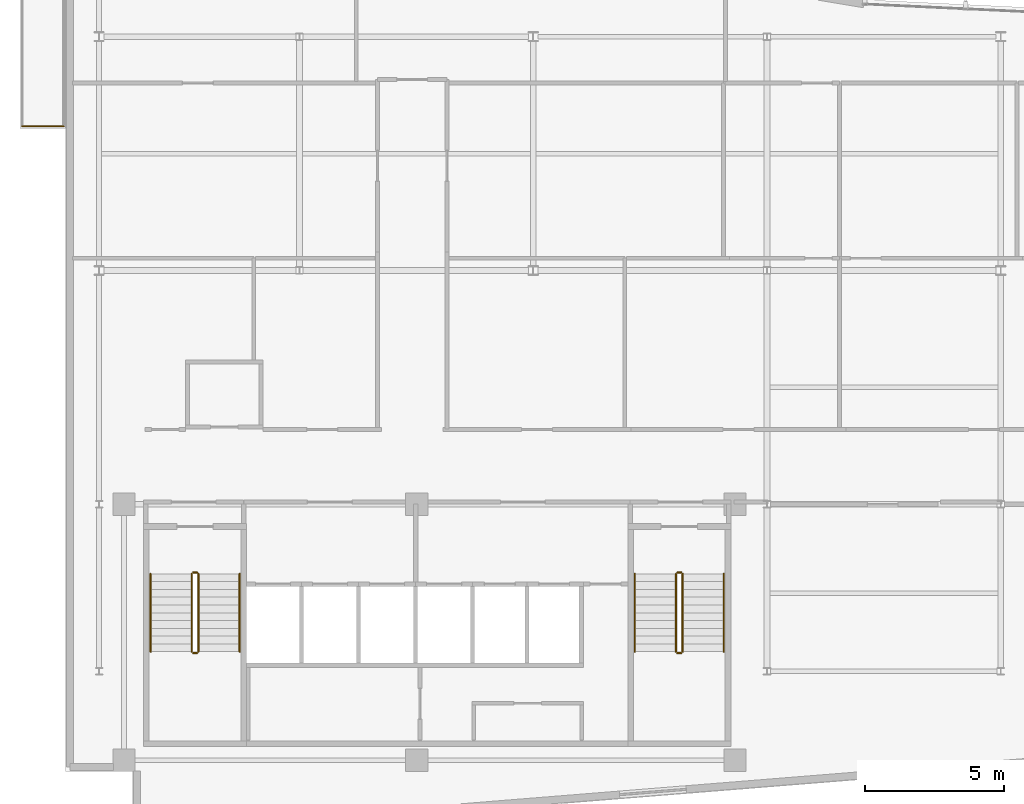
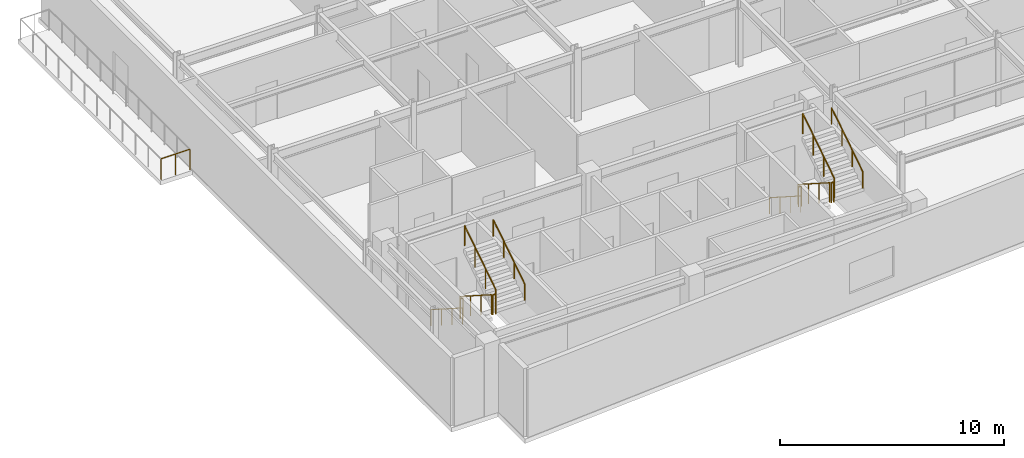
# One storey, part 14 of 16: 13 railings.
"""IFC4 building model written with IfcOpenShell, lengths in metres."""

from ifc_helpers import new_model, si_unit, direction, frame, origin, origin_2d, place, context, subcontext, project, spatial, circle, extrude, material, type_object, element, save


model = new_model("IFC4")

# Units and contexts
model_context = context("Model", 3, precision=1e-05, world=origin(), true_north=direction((0.0, 1.0)))
body_context = subcontext(model_context, "Body", "Model", "MODEL_VIEW")
ifc_project = project(units=[si_unit("LENGTHUNIT", "METRE"), si_unit("AREAUNIT", "SQUARE_METRE"), si_unit("VOLUMEUNIT", "CUBIC_METRE"), si_unit("PLANEANGLEUNIT", "RADIAN"), si_unit("MASSUNIT", "GRAM", prefix="KILO")], contexts=[model_context])

# Site, building, storey
site_placement = place(None, origin())
site = spatial("IfcSite", under=ifc_project, at=site_placement, CompositionType="ELEMENT")
building_placement = place(site_placement, origin())
building = spatial("IfcBuilding", under=site, at=building_placement, Name="Varnakote Quay Hospital", CompositionType="ELEMENT")
storey_placement = place(building_placement, frame((0.0, 0.0, 264.449951171875)))
storey = spatial("IfcBuildingStorey", under=building, at=storey_placement, Name="L65", CompositionType="ELEMENT", Elevation=264.449951171875)

# Railings
ifc_material_1 = material(Name="Anodised aluminium 6063-T6 Bronze", Category="aluminium")
railing_type_1 = type_object("IfcRailingType", Name="RLG-EXT-GUARD-1150", PredefinedType="GUARDRAIL", material=ifc_material_1)
railing_1_placement = place(storey_placement, frame((-0.075927734375, 25.580078125, 0.0)))
element("IfcRailing", 1, at=railing_1_placement, inside=storey, type_object=railing_type_1, Name="L65 Zigzag Prow Healing Terrace Safety Guard", PredefinedType="GUARDRAIL", context=body_context, shape_type="SweptSolid", body=[
    extrude(circle(Radius=0.02392578125, at=origin_2d()), frame((0.0, 0.0, 1.1259765625), z_axis=(-1.0, 0.0, 0.0), x_axis=(0.0, -1.0, 0.0)), (0.0, 0.0, 1.0), 1.484130859375),
    extrude(circle(Radius=0.02099609375, at=origin_2d()), origin(), (0.0, 0.0, 1.0), 1.101806640625),
    extrude(circle(Radius=0.02099609375, at=origin_2d()), frame((-0.7421875, 0.0, 0.0)), (0.0, 0.0, 1.0), 1.101806640625),
    extrude(circle(Radius=0.02099609375, at=origin_2d()), frame((-1.484130859375, 0.0, 0.0)), (0.0, 0.0, 1.0), 1.101806640625),
])
ifc_material_2 = material(Name="Brushed stainless steel balustrade", Category="steel")
railing_type_2 = type_object("IfcRailingType", Name="RLG-STAIR-GUARD-1150", PredefinedType="GUARDRAIL", material=ifc_material_2)
railing_2_placement = place(storey_placement, frame((4.530029296875, 9.5, 0.1796875)))
element("IfcRailing", 2, at=railing_2_placement, inside=storey, type_object=railing_type_2, Name="L65 ST-01 stair guard 1", PredefinedType="GUARDRAIL", context=body_context, shape_type="SweptSolid", body=[
    extrude(circle(Radius=0.02392578125, at=origin_2d()), frame((0.0, 0.0, 1.076171875), z_axis=(0.0, -0.841809871826, 0.539774156196), x_axis=(1.0, 0.0, 0.0)), (0.0, 0.0, 1.0), 3.326171875),
    extrude(circle(Radius=0.02099609375, at=origin_2d()), origin(), (0.0, 0.0, 1.0), 1.052001953125),
    extrude(circle(Radius=0.02099609375, at=origin_2d()), frame((0.0, -0.933349609375, 0.598388671875)), (0.0, 0.0, 1.0), 1.052001953125),
    extrude(circle(Radius=0.02099609375, at=origin_2d()), frame((0.0, -1.86669921875, 1.197021484375)), (0.0, 0.0, 1.0), 1.052001953125),
    extrude(circle(Radius=0.02099609375, at=origin_2d()), frame((0.0, -2.800048828125, 1.79541015625)), (0.0, 0.0, 1.0), 1.052001953125),
])
railing_3_placement = place(storey_placement, frame((4.580078125, 6.64990234375, 1.97509765625)))
element("IfcRailing", 3, at=railing_3_placement, inside=storey, type_object=railing_type_2, Name="L65 ST-01 stair guard 2", PredefinedType="GUARDRAIL", context=body_context, shape_type="SweptSolid", body=[
    extrude(circle(Radius=0.02392578125, at=origin_2d()), frame((0.0, 0.0, 1.076171875), z_axis=(1.0, 0.0, 0.0), x_axis=(0.0, 1.0, 0.0)), (0.0, 0.0, 1.0), 0.139892578125),
    extrude(circle(Radius=0.02099609375, at=origin_2d()), origin(), (0.0, 0.0, 1.0), 1.052001953125),
    extrude(circle(Radius=0.02099609375, at=origin_2d()), frame((0.139892578125, 0.0, 0.0)), (0.0, 0.0, 1.0), 1.052001953125),
])
railing_4_placement = place(storey_placement, frame((4.77001953125, 6.699951171875, 2.154541015625)))
element("IfcRailing", 4, at=railing_4_placement, inside=storey, type_object=railing_type_2, Name="L65 ST-01 stair guard 3", PredefinedType="GUARDRAIL", context=body_context, shape_type="SweptSolid", body=[
    extrude(circle(Radius=0.02392578125, at=origin_2d()), frame((0.0, 0.0, 1.076171875), z_axis=(0.0, 0.841809871826, 0.539774156196), x_axis=(-1.0, 0.0, 0.0)), (0.0, 0.0, 1.0), 3.326171875),
    extrude(circle(Radius=0.02099609375, at=origin_2d()), origin(), (0.0, 0.0, 1.0), 1.052001953125),
    extrude(circle(Radius=0.02099609375, at=origin_2d()), frame((0.0, 0.933349609375, 0.598388671875)), (0.0, 0.0, 1.0), 1.052001953125),
    extrude(circle(Radius=0.02099609375, at=origin_2d()), frame((0.0, 1.86669921875, 1.197021484375)), (0.0, 0.0, 1.0), 1.052001953125),
    extrude(circle(Radius=0.02099609375, at=origin_2d()), frame((0.0, 2.800048828125, 1.79541015625)), (0.0, 0.0, 1.0), 1.052001953125),
])
railing_5_placement = place(storey_placement, frame((4.580078125, 9.550048828125, 0.0)))
element("IfcRailing", 5, at=railing_5_placement, inside=storey, type_object=railing_type_2, Name="L65 ST-01 stair guard 4", PredefinedType="GUARDRAIL", context=body_context, shape_type="SweptSolid", body=[
    extrude(circle(Radius=0.02392578125, at=origin_2d()), frame((0.0, 0.0, 1.076171875), z_axis=(1.0, 0.0, 0.0), x_axis=(0.0, 1.0, 0.0)), (0.0, 0.0, 1.0), 0.139892578125),
    extrude(circle(Radius=0.02099609375, at=origin_2d()), origin(), (0.0, 0.0, 1.0), 1.052001953125),
    extrude(circle(Radius=0.02099609375, at=origin_2d()), frame((0.139892578125, 0.0, 0.0)), (0.0, 0.0, 1.0), 1.052001953125),
])
railing_6_placement = place(storey_placement, frame((21.929931640625, 9.5, 0.1796875)))
element("IfcRailing", 6, at=railing_6_placement, inside=storey, type_object=railing_type_2, Name="L65 ST-02 stair guard 1", PredefinedType="GUARDRAIL", context=body_context, shape_type="SweptSolid", body=[
    extrude(circle(Radius=0.02392578125, at=origin_2d()), frame((0.0, 0.0, 1.076171875), z_axis=(0.0, -0.841809871826, 0.539774156196), x_axis=(1.0, 0.0, 0.0)), (0.0, 0.0, 1.0), 3.326171875),
    extrude(circle(Radius=0.02099609375, at=origin_2d()), origin(), (0.0, 0.0, 1.0), 1.052001953125),
    extrude(circle(Radius=0.02099609375, at=origin_2d()), frame((0.0, -0.933349609375, 0.598388671875)), (0.0, 0.0, 1.0), 1.052001953125),
    extrude(circle(Radius=0.02099609375, at=origin_2d()), frame((0.0, -1.86669921875, 1.197021484375)), (0.0, 0.0, 1.0), 1.052001953125),
    extrude(circle(Radius=0.02099609375, at=origin_2d()), frame((0.0, -2.800048828125, 1.79541015625)), (0.0, 0.0, 1.0), 1.052001953125),
])
railing_7_placement = place(storey_placement, frame((21.97998046875, 6.64990234375, 1.97509765625)))
element("IfcRailing", 7, at=railing_7_placement, inside=storey, type_object=railing_type_2, Name="L65 ST-02 stair guard 2", PredefinedType="GUARDRAIL", context=body_context, shape_type="SweptSolid", body=[
    extrude(circle(Radius=0.02392578125, at=origin_2d()), frame((0.0, 0.0, 1.076171875), z_axis=(1.0, 0.0, 0.0), x_axis=(0.0, 1.0, 0.0)), (0.0, 0.0, 1.0), 0.14013671875),
    extrude(circle(Radius=0.02099609375, at=origin_2d()), origin(), (0.0, 0.0, 1.0), 1.052001953125),
    extrude(circle(Radius=0.02099609375, at=origin_2d()), frame((0.14013671875, 0.0, 0.0)), (0.0, 0.0, 1.0), 1.052001953125),
])
railing_8_placement = place(storey_placement, frame((22.169921875, 6.699951171875, 2.154541015625)))
element("IfcRailing", 8, at=railing_8_placement, inside=storey, type_object=railing_type_2, Name="L65 ST-02 stair guard 3", PredefinedType="GUARDRAIL", context=body_context, shape_type="SweptSolid", body=[
    extrude(circle(Radius=0.02392578125, at=origin_2d()), frame((0.0, 0.0, 1.076171875), z_axis=(0.0, 0.841809871826, 0.539774156196), x_axis=(-1.0, 0.0, 0.0)), (0.0, 0.0, 1.0), 3.326171875),
    extrude(circle(Radius=0.02099609375, at=origin_2d()), origin(), (0.0, 0.0, 1.0), 1.052001953125),
    extrude(circle(Radius=0.02099609375, at=origin_2d()), frame((0.0, 0.933349609375, 0.598388671875)), (0.0, 0.0, 1.0), 1.052001953125),
    extrude(circle(Radius=0.02099609375, at=origin_2d()), frame((0.0, 1.86669921875, 1.197021484375)), (0.0, 0.0, 1.0), 1.052001953125),
    extrude(circle(Radius=0.02099609375, at=origin_2d()), frame((0.0, 2.800048828125, 1.79541015625)), (0.0, 0.0, 1.0), 1.052001953125),
])
railing_9_placement = place(storey_placement, frame((21.97998046875, 9.550048828125, 0.0)))
element("IfcRailing", 9, at=railing_9_placement, inside=storey, type_object=railing_type_2, Name="L65 ST-02 stair guard 4", PredefinedType="GUARDRAIL", context=body_context, shape_type="SweptSolid", body=[
    extrude(circle(Radius=0.02392578125, at=origin_2d()), frame((0.0, 0.0, 1.076171875), z_axis=(1.0, 0.0, 0.0), x_axis=(0.0, 1.0, 0.0)), (0.0, 0.0, 1.0), 0.14013671875),
    extrude(circle(Radius=0.02099609375, at=origin_2d()), origin(), (0.0, 0.0, 1.0), 1.052001953125),
    extrude(circle(Radius=0.02099609375, at=origin_2d()), frame((0.14013671875, 0.0, 0.0)), (0.0, 0.0, 1.0), 1.052001953125),
])
ifc_material_3 = material(Name="Brushed stainless steel handrail", Category="steel")
railing_type_3 = type_object("IfcRailingType", Name="RLG-STAIR-HND-920", PredefinedType="HANDRAIL", material=ifc_material_3)
railing_10_placement = place(storey_placement, frame((3.050048828125, 9.5, 0.1796875)))
element("IfcRailing", 10, at=railing_10_placement, inside=storey, type_object=railing_type_3, Name="L65 ST-01 stair handrail 1", PredefinedType="HANDRAIL", context=body_context, shape_type="SweptSolid", body=[
    extrude(circle(Radius=0.02392578125, at=origin_2d()), frame((0.0, 0.0, 0.8759765625), z_axis=(0.0, -0.841809871826, 0.539774156196), x_axis=(1.0, 0.0, 0.0)), (0.0, 0.0, 1.0), 3.326171875),
    extrude(circle(Radius=0.02099609375, at=origin_2d()), origin(), (0.0, 0.0, 1.0), 0.851806640625),
    extrude(circle(Radius=0.02099609375, at=origin_2d()), frame((0.0, -0.933349609375, 0.598388671875)), (0.0, 0.0, 1.0), 0.851806640625),
    extrude(circle(Radius=0.02099609375, at=origin_2d()), frame((0.0, -1.86669921875, 1.197021484375)), (0.0, 0.0, 1.0), 0.851806640625),
    extrude(circle(Radius=0.02099609375, at=origin_2d()), frame((0.0, -2.800048828125, 1.79541015625)), (0.0, 0.0, 1.0), 0.851806640625),
])
railing_11_placement = place(storey_placement, frame((6.25, 6.699951171875, 2.154541015625)))
element("IfcRailing", 11, at=railing_11_placement, inside=storey, type_object=railing_type_3, Name="L65 ST-01 stair handrail 2", PredefinedType="HANDRAIL", context=body_context, shape_type="SweptSolid", body=[
    extrude(circle(Radius=0.02392578125, at=origin_2d()), frame((0.0, 0.0, 0.8759765625), z_axis=(0.0, 0.841809871826, 0.539774156196), x_axis=(-1.0, 0.0, 0.0)), (0.0, 0.0, 1.0), 3.326171875),
    extrude(circle(Radius=0.02099609375, at=origin_2d()), origin(), (0.0, 0.0, 1.0), 0.851806640625),
    extrude(circle(Radius=0.02099609375, at=origin_2d()), frame((0.0, 0.933349609375, 0.598388671875)), (0.0, 0.0, 1.0), 0.851806640625),
    extrude(circle(Radius=0.02099609375, at=origin_2d()), frame((0.0, 1.86669921875, 1.197021484375)), (0.0, 0.0, 1.0), 0.851806640625),
    extrude(circle(Radius=0.02099609375, at=origin_2d()), frame((0.0, 2.800048828125, 1.79541015625)), (0.0, 0.0, 1.0), 0.851806640625),
])
railing_12_placement = place(storey_placement, frame((20.449951171875, 9.5, 0.1796875)))
element("IfcRailing", 12, at=railing_12_placement, inside=storey, type_object=railing_type_3, Name="L65 ST-02 stair handrail 1", PredefinedType="HANDRAIL", context=body_context, shape_type="SweptSolid", body=[
    extrude(circle(Radius=0.02392578125, at=origin_2d()), frame((0.0, 0.0, 0.8759765625), z_axis=(0.0, -0.841809871826, 0.539774156196), x_axis=(1.0, 0.0, 0.0)), (0.0, 0.0, 1.0), 3.326171875),
    extrude(circle(Radius=0.02099609375, at=origin_2d()), origin(), (0.0, 0.0, 1.0), 0.851806640625),
    extrude(circle(Radius=0.02099609375, at=origin_2d()), frame((0.0, -0.933349609375, 0.598388671875)), (0.0, 0.0, 1.0), 0.851806640625),
    extrude(circle(Radius=0.02099609375, at=origin_2d()), frame((0.0, -1.86669921875, 1.197021484375)), (0.0, 0.0, 1.0), 0.851806640625),
    extrude(circle(Radius=0.02099609375, at=origin_2d()), frame((0.0, -2.800048828125, 1.79541015625)), (0.0, 0.0, 1.0), 0.851806640625),
])
railing_13_placement = place(storey_placement, frame((23.64990234375, 6.699951171875, 2.154541015625)))
element("IfcRailing", 13, at=railing_13_placement, inside=storey, type_object=railing_type_3, Name="L65 ST-02 stair handrail 2", PredefinedType="HANDRAIL", context=body_context, shape_type="SweptSolid", body=[
    extrude(circle(Radius=0.02392578125, at=origin_2d()), frame((0.0, 0.0, 0.8759765625), z_axis=(0.0, 0.841809871826, 0.539774156196), x_axis=(-1.0, 0.0, 0.0)), (0.0, 0.0, 1.0), 3.326171875),
    extrude(circle(Radius=0.02099609375, at=origin_2d()), origin(), (0.0, 0.0, 1.0), 0.851806640625),
    extrude(circle(Radius=0.02099609375, at=origin_2d()), frame((0.0, 0.933349609375, 0.598388671875)), (0.0, 0.0, 1.0), 0.851806640625),
    extrude(circle(Radius=0.02099609375, at=origin_2d()), frame((0.0, 1.86669921875, 1.197021484375)), (0.0, 0.0, 1.0), 0.851806640625),
    extrude(circle(Radius=0.02099609375, at=origin_2d()), frame((0.0, 2.800048828125, 1.79541015625)), (0.0, 0.0, 1.0), 0.851806640625),
])

save(model, "model.ifc")
